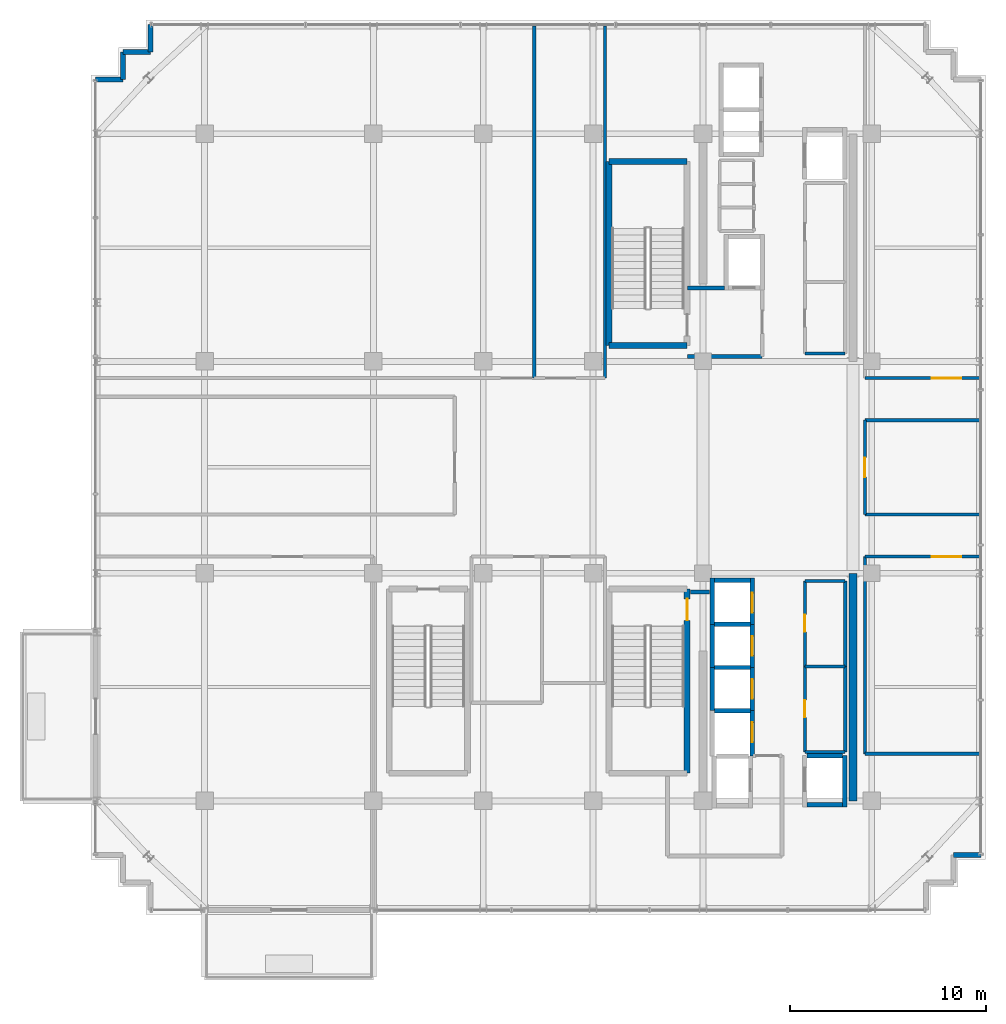
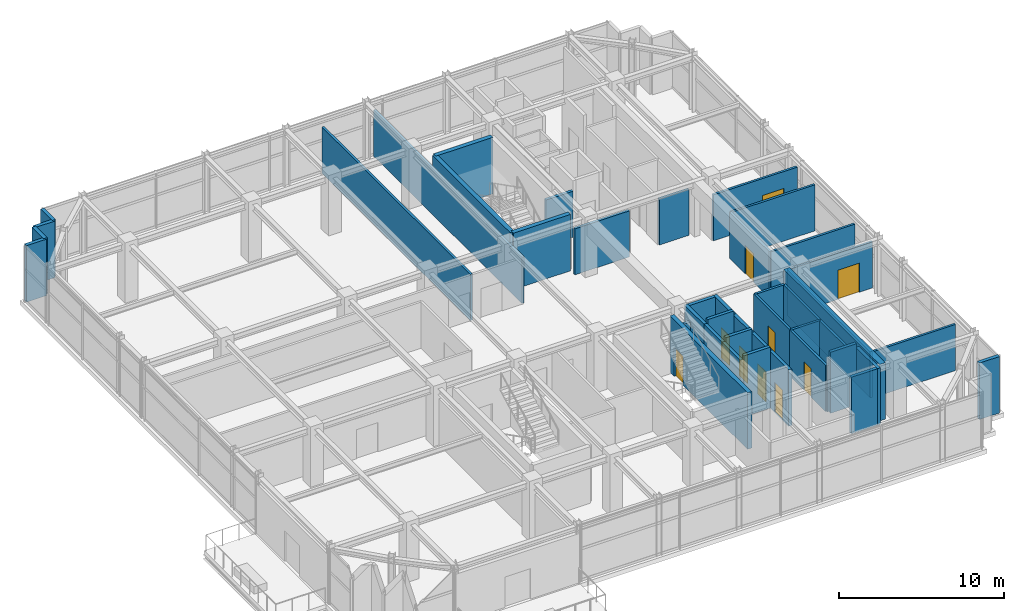
# One storey, part 20 of 25: 44 walls, 10 doors, 10 openings.
"""IFC4 building model written with IfcOpenShell, lengths in metres."""

from ifc_helpers import new_model, si_unit, direction, frame, frame_2d, origin, place, context, subcontext, project, spatial, rectangle, extrude, source, transform, mapped, material, layer, layer_set, type_object, element, fill, save


model = new_model("IFC4")

# Units and contexts
model_context = context("Model", 3, precision=1e-05, world=origin(), true_north=direction((0.0, 1.0)))
body_context = subcontext(model_context, "Body", "Model", "MODEL_VIEW")
ifc_project = project(units=[si_unit("LENGTHUNIT", "METRE"), si_unit("AREAUNIT", "SQUARE_METRE"), si_unit("VOLUMEUNIT", "CUBIC_METRE"), si_unit("PLANEANGLEUNIT", "RADIAN"), si_unit("MASSUNIT", "GRAM", prefix="KILO")], contexts=[model_context])

# Site, building, storey
site_placement = place(None, origin())
site = spatial("IfcSite", under=ifc_project, at=site_placement, CompositionType="ELEMENT")
building_placement = place(site_placement, origin())
building = spatial("IfcBuilding", under=site, at=building_placement, Name="Nahalor Promenade Grand Hotel", CompositionType="ELEMENT")
storey_placement = place(building_placement, frame((0.0, 0.0, 338.550048828125)))
storey = spatial("IfcBuildingStorey", under=building, at=storey_placement, Name="L87", CompositionType="ELEMENT", Elevation=338.550048828125)

# Walls
ifc_material_1 = material(Name="Concrete B-50 (C40/50)", Category="concrete")
ifc_layer_1 = layer(ifc_material_1, 0.39990234375)
ifc_layer_set_1 = layer_set([ifc_layer_1], Name="Concrete B-50 (C40/50)")
wall_type_1 = type_object("IfcWallType", Name="Wall-CoreShear-400", PredefinedType="SHEAR", material=ifc_layer_set_1)
shared_shape_1 = source(origin(), body_context, "Body", "SweptSolid", [
    extrude(rectangle(XDim=11.60009765625, YDim=0.39990234375, at=frame_2d((5.800048828125, 0.0))), origin(), (0.0, 0.0, 1.0), 4.169921875),
])
wall_1_placement = place(storey_placement, frame((16.050048828125, -17.0, 0.0), z_axis=(0.0, 0.0, 1.0), x_axis=(0.0, 1.0, 0.0)))
element("IfcWall", 1, at=wall_1_placement, inside=storey, type_object=wall_type_1, Name="CWALL-L87-SE", PredefinedType="SHEAR", context=body_context, shape_type="MappedRepresentation", body=[
    mapped(shared_shape_1, transform((0.0, 0.0, 0.0), scale=1.0)),
])
ifc_layer_2 = layer(ifc_material_1, 0.300048828125)
ifc_layer_set_2 = layer_set([ifc_layer_2], Name="Concrete B-50 (C40/50)")
wall_type_2 = type_object("IfcWallType", Name="Wall-ShaftShear-300", PredefinedType="SHEAR", material=ifc_layer_set_2)
shared_shape_2 = source(origin(), body_context, "Body", "SweptSolid", [
    extrude(rectangle(XDim=3.97998046875, YDim=0.300048828125, at=frame_2d((1.989990234375, 0.0))), origin(), (0.0, 0.0, 1.0), 4.169921875),
])
for number, where, z_axis, x_axis, name in (
    (2, (3.610107421875, 6.2099609375, 0.0), (0.0, 0.0, 1.0), (1.0, 0.0, 0.0), "L87 Exit Stair ST1 Shaft Wall S"),
    (3, (3.610107421875, 15.590087890625, 0.0), (0.0, 0.0, 1.0), (1.0, 0.0, 0.0), "L87 Exit Stair ST1 Shaft Wall N"),
):
    element("IfcWall", number, at=place(storey_placement, frame(where, z_axis=z_axis, x_axis=x_axis)), inside=storey, type_object=wall_type_2, Name=name, PredefinedType="SHEAR", context=body_context, shape_type="MappedRepresentation", body=[
        mapped(shared_shape_2, transform((0.0, 0.0, 0.0), scale=1.0)),
    ])
shared_shape_3 = source(origin(), body_context, "Body", "SweptSolid", [
    extrude(rectangle(XDim=9.380126953125, YDim=0.300048828125, at=frame_2d((4.68994140625, 0.0))), origin(), (0.0, 0.0, 1.0), 4.169921875),
])
wall_2_placement = place(storey_placement, frame((3.610107421875, 6.2099609375, 0.0), z_axis=(0.0, 0.0, 1.0), x_axis=(0.0, 1.0, 0.0)))
element("IfcWall", 4, at=wall_2_placement, inside=storey, type_object=wall_type_2, Name="L87 Exit Stair ST1 Shaft Wall W", PredefinedType="SHEAR", context=body_context, shape_type="MappedRepresentation", body=[
    mapped(shared_shape_3, transform((0.0, 0.0, 0.0), scale=1.0)),
])

# Wall, opening, door
wall_3_placement = place(storey_placement, frame((7.590087890625, -15.590087890625, 0.0), z_axis=(0.0, 0.0, 1.0), x_axis=(0.0, 1.0, 0.0)))
wall_3 = element("IfcWall", 5, at=wall_3_placement, inside=storey, type_object=wall_type_2, Name="L87 Exit Stair ST2 Shaft Wall E", PredefinedType="SHEAR", context=body_context, shape_type="MappedRepresentation", body=[
    mapped(shared_shape_3, transform((0.0, 0.0, 0.0), scale=1.0)),
])
opening_1_placement = place(wall_3_placement, frame((7.7900390625, 0.0, 0.0)))
opening_1 = element("IfcOpeningElement", 6, at=opening_1_placement, cuts=wall_3, Name="Opening D-ST1", PredefinedType="OPENING", context=body_context, shape_type="SweptSolid", body=[
    extrude(rectangle(XDim=1.10009765625, YDim=2.14990234375, at=frame_2d((0.550048828125, 1.074951171875))), frame((0.0, 0.159912109375, 0.0), z_axis=(0.0, -1.0, 0.0), x_axis=(1.0, 0.0, 0.0)), (0.0, 0.0, 1.0), 0.320068359375),
])
ifc_material_2 = material(Name="Steel S355JR", Category="steel")
door_type_1 = type_object("IfcDoorType", Name="Door-StairFire-1100", OperationType="NOTDEFINED", PredefinedType="DOOR", material=ifc_material_2)
shared_shape_4 = source(origin(), body_context, "Body", "SweptSolid", [
    extrude(rectangle(XDim=1.10009765625, YDim=2.14990234375, at=frame_2d((0.550048828125, 1.074951171875))), frame((0.0, 0.02490234375, 0.0), z_axis=(0.0, -1.0, 0.0), x_axis=(1.0, 0.0, 0.0)), (0.0, 0.0, 1.0), 0.050048828125),
])
door_1_placement = place(opening_1_placement, origin())
door_1 = element("IfcDoor", 7, at=door_1_placement, inside=storey, type_object=door_type_1, Name="DR-STAIR-ST2-L87", OperationType="SINGLE_SWING_RIGHT", OverallHeight=2.14990234375, OverallWidth=1.10009765625, PredefinedType="DOOR", context=body_context, shape_type="MappedRepresentation", body=[
    mapped(shared_shape_4, transform((0.0, 0.0, 0.0), scale=1.0)),
])
fill(opening_1, door_1)

# Walls
ifc_layer_3 = layer(ifc_material_1, 0.219970703125)
ifc_layer_set_3 = layer_set([ifc_layer_3], Name="Concrete B-50 (C40/50)")
wall_type_3 = type_object("IfcWallType", Name="Wall-LiftShaft-220", PredefinedType="SHEAR", material=ifc_layer_set_3)
shared_shape_5 = source(origin(), body_context, "Body", "SweptSolid", [
    extrude(rectangle(XDim=1.820068359375, YDim=0.219970703125, at=frame_2d((0.91015625, 0.0))), origin(), (0.0, 0.0, 1.0), 4.5),
])
for number, where, z_axis, x_axis, name in (
    (8, (8.989990234375, -8.0, 0.0), (0.0, 0.0, 1.0), (1.0, 0.0, 0.0), "L87 Lift PL10 Hoistway Wall N"),
    (9, (8.989990234375, -10.199951171875, 0.0), (0.0, 0.0, 1.0), (1.0, 0.0, 0.0), "L87 Lift PL11 Hoistway Wall N"),
    (10, (8.989990234375, -12.39990234375, 0.0), (0.0, 0.0, 1.0), (1.0, 0.0, 0.0), "L87 Lift PL12 Hoistway Wall N"),
    (11, (13.68994140625, -14.699951171875, 0.0), (0.0, 0.0, 1.0), (1.0, 0.0, 0.0), "L87 Lift SV2 Hoistway Wall N"),
):
    element("IfcWall", number, at=place(storey_placement, frame(where, z_axis=z_axis, x_axis=x_axis)), inside=storey, type_object=wall_type_3, Name=name, PredefinedType="SHEAR", context=body_context, shape_type="MappedRepresentation", body=[
        mapped(shared_shape_5, transform((0.0, 0.0, 0.0), scale=1.0)),
    ])
shared_shape_6 = source(origin(), body_context, "Body", "SweptSolid", [
    extrude(rectangle(XDim=2.360107421875, YDim=0.219970703125, at=frame_2d((1.18017578125, 0.0))), origin(), (0.0, 0.0, 1.0), 4.169921875),
])
wall_4_placement = place(storey_placement, frame((8.8798828125, -8.0, 0.0), z_axis=(0.0, 0.0, 1.0), x_axis=(0.0, 1.0, 0.0)))
element("IfcWall", 12, at=wall_4_placement, inside=storey, type_object=wall_type_3, Name="L87 Lift PL9 Hoistway Wall W", PredefinedType="SHEAR", context=body_context, shape_type="MappedRepresentation", body=[
    mapped(shared_shape_6, transform((0.0, 0.0, 0.0), scale=1.0)),
])

# Wall, opening, door
wall_5_placement = place(storey_placement, frame((10.919921875, -8.0, 0.0), z_axis=(0.0, 0.0, 1.0), x_axis=(0.0, 1.0, 0.0)))
wall_5 = element("IfcWall", 13, at=wall_5_placement, inside=storey, type_object=wall_type_3, Name="L87 Lift PL9 Hoistway Wall E", PredefinedType="SHEAR", context=body_context, shape_type="MappedRepresentation", body=[
    mapped(shared_shape_6, transform((0.0, 0.0, 0.0), scale=1.0)),
])
opening_2_placement = place(wall_5_placement, frame((0.60009765625, 0.0, 0.0)))
opening_2 = element("IfcOpeningElement", 14, at=opening_2_placement, cuts=wall_5, Name="Opening LD-01", PredefinedType="OPENING", context=body_context, shape_type="SweptSolid", body=[
    extrude(rectangle(XDim=1.0, YDim=2.199951171875, at=frame_2d((0.5, 1.10009765625))), frame((0.0, 0.119873046875, 0.0), z_axis=(0.0, -1.0, 0.0), x_axis=(1.0, 0.0, 0.0)), (0.0, 0.0, 1.0), 0.239990234375),
])
door_type_2 = type_object("IfcDoorType", Name="Door-LiftLanding-1000", OperationType="DOUBLE_DOOR_SLIDING", PredefinedType="DOOR", material=ifc_material_2)
shared_shape_7 = source(origin(), body_context, "Body", "SweptSolid", [
    extrude(rectangle(XDim=1.0, YDim=2.199951171875, at=frame_2d((0.5, 1.10009765625))), frame((0.0, 0.02490234375, 0.0), z_axis=(0.0, -1.0, 0.0), x_axis=(1.0, 0.0, 0.0)), (0.0, 0.0, 1.0), 0.050048828125),
])
door_2_placement = place(opening_2_placement, frame((1.0, 0.0, 0.0), z_axis=(0.0, 0.0, 1.0), x_axis=(-1.0, 0.0, 0.0)))
door_2 = element("IfcDoor", 15, at=door_2_placement, inside=storey, type_object=door_type_2, Name="DR-LIFT-PL9-L87", OperationType="DOUBLE_DOOR_SLIDING", OverallHeight=2.199951171875, OverallWidth=1.0, PredefinedType="DOOR", context=body_context, shape_type="MappedRepresentation", body=[
    mapped(shared_shape_7, transform((0.0, 0.0, 0.0), scale=1.0)),
])
fill(opening_2, door_2)

# Walls
shared_shape_8 = source(origin(), body_context, "Body", "SweptSolid", [
    extrude(rectangle(XDim=1.820068359375, YDim=0.219970703125, at=frame_2d((0.91015625, 0.0))), origin(), (0.0, 0.0, 1.0), 4.169921875),
])
for number, where, z_axis, x_axis, name in (
    (16, (8.989990234375, -5.75, 0.0), (0.0, 0.0, 1.0), (1.0, 0.0, 0.0), "L87 Lift PL9 Hoistway Wall N"),
    (17, (13.68994140625, -17.199951171875, 0.0), (0.0, 0.0, 1.0), (1.0, 0.0, 0.0), "L87 Lift SV2 Hoistway Wall S"),
):
    element("IfcWall", number, at=place(storey_placement, frame(where, z_axis=z_axis, x_axis=x_axis)), inside=storey, type_object=wall_type_3, Name=name, PredefinedType="SHEAR", context=body_context, shape_type="MappedRepresentation", body=[
        mapped(shared_shape_8, transform((0.0, 0.0, 0.0), scale=1.0)),
    ])
shared_shape_9 = source(origin(), body_context, "Body", "SweptSolid", [
    extrude(rectangle(XDim=2.199951171875, YDim=0.219970703125, at=frame_2d((1.10009765625, 0.0))), origin(), (0.0, 0.0, 1.0), 4.169921875),
])
wall_6_placement = place(storey_placement, frame((8.8798828125, -10.199951171875, 0.0), z_axis=(0.0, 0.0, 1.0), x_axis=(0.0, 1.0, 0.0)))
element("IfcWall", 18, at=wall_6_placement, inside=storey, type_object=wall_type_3, Name="L87 Lift PL10 Hoistway Wall W", PredefinedType="SHEAR", context=body_context, shape_type="MappedRepresentation", body=[
    mapped(shared_shape_9, transform((0.0, 0.0, 0.0), scale=1.0)),
])

# Wall, opening, door
wall_7_placement = place(storey_placement, frame((10.919921875, -10.199951171875, 0.0), z_axis=(0.0, 0.0, 1.0), x_axis=(0.0, 1.0, 0.0)))
wall_7 = element("IfcWall", 19, at=wall_7_placement, inside=storey, type_object=wall_type_3, Name="L87 Lift PL10 Hoistway Wall E", PredefinedType="SHEAR", context=body_context, shape_type="MappedRepresentation", body=[
    mapped(shared_shape_9, transform((0.0, 0.0, 0.0), scale=1.0)),
])
opening_3_placement = place(wall_7_placement, frame((0.60009765625, 0.0, 0.0)))
opening_3 = element("IfcOpeningElement", 20, at=opening_3_placement, cuts=wall_7, Name="Opening LD-01", PredefinedType="OPENING", context=body_context, shape_type="SweptSolid", body=[
    extrude(rectangle(XDim=1.0, YDim=2.199951171875, at=frame_2d((0.5, 1.10009765625))), frame((0.0, 0.119873046875, 0.0), z_axis=(0.0, -1.0, 0.0), x_axis=(1.0, 0.0, 0.0)), (0.0, 0.0, 1.0), 0.239990234375),
])
door_3_placement = place(opening_3_placement, frame((1.0, 0.0, 0.0), z_axis=(0.0, 0.0, 1.0), x_axis=(-1.0, 0.0, 0.0)))
door_3 = element("IfcDoor", 21, at=door_3_placement, inside=storey, type_object=door_type_2, Name="DR-LIFT-PL10-L87", OperationType="DOUBLE_DOOR_SLIDING", OverallHeight=2.199951171875, OverallWidth=1.0, PredefinedType="DOOR", context=body_context, shape_type="MappedRepresentation", body=[
    mapped(shared_shape_7, transform((0.0, 0.0, 0.0), scale=1.0)),
])
fill(opening_3, door_3)

# Wall
wall_8_placement = place(storey_placement, frame((8.8798828125, -12.39990234375, 0.0), z_axis=(0.0, 0.0, 1.0), x_axis=(0.0, 1.0, 0.0)))
element("IfcWall", 22, at=wall_8_placement, inside=storey, type_object=wall_type_3, Name="L87 Lift PL11 Hoistway Wall W", PredefinedType="SHEAR", context=body_context, shape_type="MappedRepresentation", body=[
    mapped(shared_shape_9, transform((0.0, 0.0, 0.0), scale=1.0)),
])

# Wall, opening, door
wall_9_placement = place(storey_placement, frame((10.919921875, -12.39990234375, 0.0), z_axis=(0.0, 0.0, 1.0), x_axis=(0.0, 1.0, 0.0)))
wall_9 = element("IfcWall", 23, at=wall_9_placement, inside=storey, type_object=wall_type_3, Name="L87 Lift PL11 Hoistway Wall E", PredefinedType="SHEAR", context=body_context, shape_type="MappedRepresentation", body=[
    mapped(shared_shape_9, transform((0.0, 0.0, 0.0), scale=1.0)),
])
opening_4_placement = place(wall_9_placement, frame((0.60009765625, 0.0, 0.0)))
opening_4 = element("IfcOpeningElement", 24, at=opening_4_placement, cuts=wall_9, Name="Opening LD-01", PredefinedType="OPENING", context=body_context, shape_type="SweptSolid", body=[
    extrude(rectangle(XDim=1.0, YDim=2.199951171875, at=frame_2d((0.5, 1.10009765625))), frame((0.0, 0.119873046875, 0.0), z_axis=(0.0, -1.0, 0.0), x_axis=(1.0, 0.0, 0.0)), (0.0, 0.0, 1.0), 0.239990234375),
])
door_4_placement = place(opening_4_placement, frame((1.0, 0.0, 0.0), z_axis=(0.0, 0.0, 1.0), x_axis=(-1.0, 0.0, 0.0)))
door_4 = element("IfcDoor", 25, at=door_4_placement, inside=storey, type_object=door_type_2, Name="DR-LIFT-PL11-L87", OperationType="DOUBLE_DOOR_SLIDING", OverallHeight=2.199951171875, OverallWidth=1.0, PredefinedType="DOOR", context=body_context, shape_type="MappedRepresentation", body=[
    mapped(shared_shape_7, transform((0.0, 0.0, 0.0), scale=1.0)),
])
fill(opening_4, door_4)

shared_shape_10 = source(origin(), body_context, "Body", "SweptSolid", [
    extrude(rectangle(XDim=2.3251953125, YDim=0.219970703125, at=frame_2d((1.16259765625, 0.0))), origin(), (0.0, 0.0, 1.0), 4.169921875),
])
wall_10_placement = place(storey_placement, frame((10.919921875, -14.72509765625, 0.0), z_axis=(0.0, 0.0, 1.0), x_axis=(0.0, 1.0, 0.0)))
wall_10 = element("IfcWall", 26, at=wall_10_placement, inside=storey, type_object=wall_type_3, Name="L87 Lift PL12 Hoistway Wall E", PredefinedType="SHEAR", context=body_context, shape_type="MappedRepresentation", body=[
    mapped(shared_shape_10, transform((0.0, 0.0, 0.0), scale=1.0)),
])
opening_5_placement = place(wall_10_placement, frame((0.72509765625, 0.0, 0.0)))
opening_5 = element("IfcOpeningElement", 27, at=opening_5_placement, cuts=wall_10, Name="Opening LD-01", PredefinedType="OPENING", context=body_context, shape_type="SweptSolid", body=[
    extrude(rectangle(XDim=1.0, YDim=2.199951171875, at=frame_2d((0.5, 1.10009765625))), frame((0.0, 0.119873046875, 0.0), z_axis=(0.0, -1.0, 0.0), x_axis=(1.0, 0.0, 0.0)), (0.0, 0.0, 1.0), 0.239990234375),
])
door_5_placement = place(opening_5_placement, frame((1.0, 0.0, 0.0), z_axis=(0.0, 0.0, 1.0), x_axis=(-1.0, 0.0, 0.0)))
door_5 = element("IfcDoor", 28, at=door_5_placement, inside=storey, type_object=door_type_2, Name="DR-LIFT-PL12-L87", OperationType="DOUBLE_DOOR_SLIDING", OverallHeight=2.199951171875, OverallWidth=1.0, PredefinedType="DOOR", context=body_context, shape_type="MappedRepresentation", body=[
    mapped(shared_shape_7, transform((0.0, 0.0, 0.0), scale=1.0)),
])
fill(opening_5, door_5)

# Walls
shared_shape_11 = source(origin(), body_context, "Body", "SweptSolid", [
    extrude(rectangle(XDim=2.610107421875, YDim=0.219970703125, at=frame_2d((1.30517578125, 0.0))), origin(), (0.0, 0.0, 1.0), 4.169921875),
])
wall_11_placement = place(storey_placement, frame((15.6201171875, -17.31005859375, 0.0), z_axis=(0.0, 0.0, 1.0), x_axis=(0.0, 1.0, 0.0)))
element("IfcWall", 29, at=wall_11_placement, inside=storey, type_object=wall_type_3, Name="L87 Lift SV2 Hoistway Wall E", PredefinedType="SHEAR", context=body_context, shape_type="MappedRepresentation", body=[
    mapped(shared_shape_11, transform((0.0, 0.0, 0.0), scale=1.0)),
])
ifc_material_3 = material(Name="Concrete B-40 (C32/40)", Category="concrete")
ifc_layer_4 = layer(ifc_material_3, 0.25)
ifc_layer_set_4 = layer_set([ifc_layer_4], Name="Concrete B-40 (C32/40)")
wall_type_4 = type_object("IfcWallType", Name="Wall-BronzePier-250", PredefinedType="STANDARD", material=ifc_layer_set_4)
shared_shape_12 = source(origin(), body_context, "Body", "SweptSolid", [
    extrude(rectangle(XDim=1.400146484375, YDim=0.25, at=frame_2d((0.7001953125, 0.0))), origin(), (0.0, 0.0, 1.0), 4.169921875),
])
for number, where, z_axis, x_axis, name in (
    (30, (21.159912109375, -19.760009765625, 0.0), (0.0, 0.0, 1.0), (1.0, 0.0, 0.0), "W-L87-SR-04"),
    (31, (-19.760009765625, 21.159912109375, 0.0), (0.0, 0.0, 1.0), (0.0, 1.0, 0.0), "W-L87-SR-09"),
    (32, (-22.56005859375, 19.760009765625, 0.0), (0.0, 0.0, 1.0), (1.0, 0.0, 0.0), "W-L87-SR-12"),
):
    element("IfcWall", number, at=place(storey_placement, frame(where, z_axis=z_axis, x_axis=x_axis)), inside=storey, type_object=wall_type_4, Name=name, PredefinedType="STANDARD", context=body_context, shape_type="MappedRepresentation", body=[
        mapped(shared_shape_12, transform((0.0, 0.0, 0.0), scale=1.0)),
    ])
shared_shape_13 = source(origin(), body_context, "Body", "SweptSolid", [
    extrude(rectangle(XDim=1.39990234375, YDim=0.25, at=frame_2d((0.699951171875, 0.0))), origin(), (0.0, 0.0, 1.0), 4.169921875),
])
for number, where, z_axis, x_axis, name in (
    (33, (-21.159912109375, 21.159912109375, 0.0), (0.0, 0.0, 1.0), (1.0, 0.0, 0.0), "W-L87-SR-10"),
    (34, (-21.159912109375, 19.760009765625, 0.0), (0.0, 0.0, 1.0), (0.0, 1.0, 0.0), "W-L87-SR-11"),
):
    element("IfcWall", number, at=place(storey_placement, frame(where, z_axis=z_axis, x_axis=x_axis)), inside=storey, type_object=wall_type_4, Name=name, PredefinedType="STANDARD", context=body_context, shape_type="MappedRepresentation", body=[
        mapped(shared_shape_13, transform((0.0, 0.0, 0.0), scale=1.0)),
    ])
ifc_layer_5 = layer(ifc_material_3, 0.199951171875)
ifc_layer_set_5 = layer_set([ifc_layer_5], Name="Concrete B-40 (C32/40)")
wall_type_5 = type_object("IfcWallType", Name="Wall-PartFire-200", PredefinedType="PARTITIONING", material=ifc_layer_set_5)
shared_shape_14 = source(origin(), body_context, "Body", "SweptSolid", [
    extrude(rectangle(XDim=3.81982421875, YDim=0.199951171875, at=frame_2d((1.909912109375, 0.0))), origin(), (0.0, 0.0, 1.0), 3.39990234375),
])
wall_12_placement = place(storey_placement, frame((7.60009765625, 5.64990234375, 0.0), z_axis=(0.0, 0.0, 1.0), x_axis=(1.0, 0.0, 0.0)))
element("IfcWall", 35, at=wall_12_placement, inside=storey, type_object=wall_type_5, Name="W-L87-FF1-S", PredefinedType="PARTITIONING", context=body_context, shape_type="MappedRepresentation", body=[
    mapped(shared_shape_14, transform((0.0, 0.0, 0.0), scale=1.0)),
])
shared_shape_15 = source(origin(), body_context, "Body", "SweptSolid", [
    extrude(rectangle(XDim=1.89990234375, YDim=0.199951171875, at=frame_2d((0.949951171875, 0.0))), origin(), (0.0, 0.0, 1.0), 3.39990234375),
])
wall_13_placement = place(storey_placement, frame((7.60009765625, 9.14990234375, 0.0), z_axis=(0.0, 0.0, 1.0), x_axis=(1.0, 0.0, 0.0)))
element("IfcWall", 36, at=wall_13_placement, inside=storey, type_object=wall_type_5, Name="W-L87-FF1-N", PredefinedType="PARTITIONING", context=body_context, shape_type="MappedRepresentation", body=[
    mapped(shared_shape_15, transform((0.0, 0.0, 0.0), scale=1.0)),
])
shared_shape_16 = source(origin(), body_context, "Body", "SweptSolid", [
    extrude(rectangle(XDim=0.969970703125, YDim=0.199951171875, at=frame_2d((0.48486328125, 0.0))), origin(), (0.0, 0.0, 1.0), 3.39990234375),
])
wall_14_placement = place(storey_placement, frame((7.77001953125, -6.35009765625, 0.0), z_axis=(0.0, 0.0, 1.0), x_axis=(1.0, 0.0, 0.0)))
element("IfcWall", 37, at=wall_14_placement, inside=storey, type_object=wall_type_5, Name="W-L87-FF2-N2", PredefinedType="PARTITIONING", context=body_context, shape_type="MappedRepresentation", body=[
    mapped(shared_shape_16, transform((0.0, 0.0, 0.0), scale=1.0)),
])

# Wall, opening, door
ifc_material_4 = material(Name="Acoustic Mineral Gypsum", Category="gypsum")
ifc_layer_6 = layer(ifc_material_4, 0.159912109375)
ifc_layer_set_6 = layer_set([ifc_layer_6], Name="Acoustic Mineral Gypsum")
wall_type_6 = type_object("IfcWallType", Name="Wall-PartCorridor-160", PredefinedType="PARTITIONING", material=ifc_layer_set_6)
shared_shape_17 = source(origin(), body_context, "Body", "SweptSolid", [
    extrude(rectangle(XDim=4.7998046875, YDim=0.159912109375, at=frame_2d((2.39990234375, 0.0))), origin(), (0.0, 0.0, 1.0), 3.39990234375),
])
wall_15_placement = place(storey_placement, frame((16.64990234375, -2.39990234375, 0.0), z_axis=(0.0, 0.0, 1.0), x_axis=(0.0, 1.0, 0.0)))
wall_15 = element("IfcWall", 38, at=wall_15_placement, inside=storey, type_object=wall_type_6, Name="W-L87-SK02-W", PredefinedType="PARTITIONING", context=body_context, shape_type="MappedRepresentation", body=[
    mapped(shared_shape_17, transform((0.0, 0.0, 0.0), scale=1.0)),
])
opening_6_placement = place(wall_15_placement, frame((1.89990234375, 0.0, 0.0)))
opening_6 = element("IfcOpeningElement", 39, at=opening_6_placement, cuts=wall_15, Name="Opening D-04", PredefinedType="OPENING", context=body_context, shape_type="SweptSolid", body=[
    extrude(rectangle(XDim=1.0, YDim=2.10009765625, at=frame_2d((0.5, 1.050048828125))), frame((0.0, 0.08984375, 0.0), z_axis=(0.0, -1.0, 0.0), x_axis=(1.0, 0.0, 0.0)), (0.0, 0.0, 1.0), 0.179931640625),
])
door_type_3 = type_object("IfcDoorType", Name="Door-ServiceFire-1000", OperationType="NOTDEFINED", PredefinedType="DOOR", material=ifc_material_2)
shared_shape_18 = source(origin(), body_context, "Body", "SweptSolid", [
    extrude(rectangle(XDim=1.0, YDim=2.10009765625, at=frame_2d((0.5, 1.050048828125))), frame((0.0, 0.02490234375, 0.0), z_axis=(0.0, -1.0, 0.0), x_axis=(1.0, 0.0, 0.0)), (0.0, 0.0, 1.0), 0.050048828125),
])
door_6_placement = place(opening_6_placement, frame((1.0, 0.0, 0.0), z_axis=(0.0, 0.0, 1.0), x_axis=(-1.0, 0.0, 0.0)))
door_6 = element("IfcDoor", 40, at=door_6_placement, inside=storey, type_object=door_type_3, Name="DR-L87-SK02", OperationType="SINGLE_SWING_RIGHT", OverallHeight=2.10009765625, OverallWidth=1.0, PredefinedType="DOOR", context=body_context, shape_type="MappedRepresentation", body=[
    mapped(shared_shape_18, transform((0.0, 0.0, 0.0), scale=1.0)),
])
fill(opening_6, door_6)

# Walls
shared_shape_19 = source(origin(), body_context, "Body", "SweptSolid", [
    extrude(rectangle(XDim=2.0498046875, YDim=0.159912109375, at=frame_2d((1.02490234375, 0.0))), origin(), (0.0, 0.0, 1.0), 3.39990234375),
])
for number, where, z_axis, x_axis, name in (
    (41, (13.60009765625, 5.800048828125, 0.0), (0.0, 0.0, 1.0), (1.0, 0.0, 0.0), "W-L87-FRB1A-S"),
    (42, (13.60009765625, -14.5, 0.0), (0.0, 0.0, 1.0), (1.0, 0.0, 0.0), "W-L87-FRB2A-S"),
    (43, (13.60009765625, -10.14990234375, 0.0), (0.0, 0.0, 1.0), (1.0, 0.0, 0.0), "W-L87-FRB2A-N"),
    (44, (13.60009765625, -5.800048828125, 0.0), (0.0, 0.0, 1.0), (1.0, 0.0, 0.0), "W-L87-FRB2B-N"),
):
    element("IfcWall", number, at=place(storey_placement, frame(where, z_axis=z_axis, x_axis=x_axis)), inside=storey, type_object=wall_type_6, Name=name, PredefinedType="PARTITIONING", context=body_context, shape_type="MappedRepresentation", body=[
        mapped(shared_shape_19, transform((0.0, 0.0, 0.0), scale=1.0)),
    ])

# Wall, opening, door
shared_shape_20 = source(origin(), body_context, "Body", "SweptSolid", [
    extrude(rectangle(XDim=4.35009765625, YDim=0.159912109375, at=frame_2d((2.175048828125, 0.0))), origin(), (0.0, 0.0, 1.0), 3.39990234375),
])
wall_16_placement = place(storey_placement, frame((13.60009765625, -14.5, 0.0), z_axis=(0.0, 0.0, 1.0), x_axis=(0.0, 1.0, 0.0)))
wall_16 = element("IfcWall", 45, at=wall_16_placement, inside=storey, type_object=wall_type_6, Name="W-L87-FRB2A-W", PredefinedType="PARTITIONING", context=body_context, shape_type="MappedRepresentation", body=[
    mapped(shared_shape_20, transform((0.0, 0.0, 0.0), scale=1.0)),
])
opening_7_placement = place(wall_16_placement, frame((1.760009765625, 0.0, 0.0)))
opening_7 = element("IfcOpeningElement", 46, at=opening_7_placement, cuts=wall_16, Name="Opening D-03", PredefinedType="OPENING", context=body_context, shape_type="SweptSolid", body=[
    extrude(rectangle(XDim=0.8798828125, YDim=2.10009765625, at=frame_2d((0.43994140625, 1.050048828125))), frame((0.0, 0.08984375, 0.0), z_axis=(0.0, -1.0, 0.0), x_axis=(1.0, 0.0, 0.0)), (0.0, 0.0, 1.0), 0.179931640625),
])
ifc_material_5 = material(Name="Fire-Rated Timber Composite", Category="wood")
door_type_4 = type_object("IfcDoorType", Name="Door-BathSwing-880", OperationType="NOTDEFINED", PredefinedType="DOOR", material=ifc_material_5)
shared_shape_21 = source(origin(), body_context, "Body", "SweptSolid", [
    extrude(rectangle(XDim=0.8798828125, YDim=2.10009765625, at=frame_2d((0.43994140625, 1.050048828125))), frame((0.0, 0.02490234375, 0.0), z_axis=(0.0, -1.0, 0.0), x_axis=(1.0, 0.0, 0.0)), (0.0, 0.0, 1.0), 0.050048828125),
])
door_7_placement = place(opening_7_placement, frame((0.8798828125, 0.0, 0.0), z_axis=(0.0, 0.0, 1.0), x_axis=(-1.0, 0.0, 0.0)))
door_7 = element("IfcDoor", 47, at=door_7_placement, inside=storey, type_object=door_type_4, Name="DR-L87-FRB2A", OperationType="SINGLE_SWING_RIGHT", OverallHeight=2.10009765625, OverallWidth=0.8798828125, PredefinedType="DOOR", context=body_context, shape_type="MappedRepresentation", body=[
    mapped(shared_shape_21, transform((0.0, 0.0, 0.0), scale=1.0)),
])
fill(opening_7, door_7)

# Wall
wall_17_placement = place(storey_placement, frame((15.64990234375, -14.5, 0.0), z_axis=(0.0, 0.0, 1.0), x_axis=(0.0, 1.0, 0.0)))
element("IfcWall", 48, at=wall_17_placement, inside=storey, type_object=wall_type_6, Name="W-L87-FRB2A-E", PredefinedType="PARTITIONING", context=body_context, shape_type="MappedRepresentation", body=[
    mapped(shared_shape_20, transform((0.0, 0.0, 0.0), scale=1.0)),
])

# Wall, opening, door
shared_shape_22 = source(origin(), body_context, "Body", "SweptSolid", [
    extrude(rectangle(XDim=4.349853515625, YDim=0.159912109375, at=frame_2d((2.1748046875, 0.0))), origin(), (0.0, 0.0, 1.0), 3.39990234375),
])
wall_18_placement = place(storey_placement, frame((13.60009765625, -10.14990234375, 0.0), z_axis=(0.0, 0.0, 1.0), x_axis=(0.0, 1.0, 0.0)))
wall_18 = element("IfcWall", 49, at=wall_18_placement, inside=storey, type_object=wall_type_6, Name="W-L87-FRB2B-W", PredefinedType="PARTITIONING", context=body_context, shape_type="MappedRepresentation", body=[
    mapped(shared_shape_22, transform((0.0, 0.0, 0.0), scale=1.0)),
])
opening_8_placement = place(wall_18_placement, frame((1.760009765625, 0.0, 0.0)))
opening_8 = element("IfcOpeningElement", 50, at=opening_8_placement, cuts=wall_18, Name="Opening D-03", PredefinedType="OPENING", context=body_context, shape_type="SweptSolid", body=[
    extrude(rectangle(XDim=0.8798828125, YDim=2.10009765625, at=frame_2d((0.43994140625, 1.050048828125))), frame((0.0, 0.08984375, 0.0), z_axis=(0.0, -1.0, 0.0), x_axis=(1.0, 0.0, 0.0)), (0.0, 0.0, 1.0), 0.179931640625),
])
door_8_placement = place(opening_8_placement, frame((0.8798828125, 0.0, 0.0), z_axis=(0.0, 0.0, 1.0), x_axis=(-1.0, 0.0, 0.0)))
door_8 = element("IfcDoor", 51, at=door_8_placement, inside=storey, type_object=door_type_4, Name="DR-L87-FRB2B", OperationType="SINGLE_SWING_LEFT", OverallHeight=2.10009765625, OverallWidth=0.8798828125, PredefinedType="DOOR", context=body_context, shape_type="MappedRepresentation", body=[
    mapped(shared_shape_21, transform((0.0, 0.0, 0.0), scale=1.0)),
])
fill(opening_8, door_8)

# Walls
wall_19_placement = place(storey_placement, frame((15.64990234375, -10.14990234375, 0.0), z_axis=(0.0, 0.0, 1.0), x_axis=(0.0, 1.0, 0.0)))
element("IfcWall", 52, at=wall_19_placement, inside=storey, type_object=wall_type_6, Name="W-L87-FRB2B-E", PredefinedType="PARTITIONING", context=body_context, shape_type="MappedRepresentation", body=[
    mapped(shared_shape_22, transform((0.0, 0.0, 0.0), scale=1.0)),
])
shared_shape_23 = source(origin(), body_context, "Body", "SweptSolid", [
    extrude(rectangle(XDim=5.85009765625, YDim=0.159912109375, at=frame_2d((2.925048828125, 0.0))), origin(), (0.0, 0.0, 1.0), 3.39990234375),
])
for number, where, z_axis, x_axis, name in (
    (53, (16.64990234375, -2.39990234375, 0.0), (0.0, 0.0, 1.0), (1.0, 0.0, 0.0), "W-L87-SK02-S"),
    (54, (16.64990234375, 2.39990234375, 0.0), (0.0, 0.0, 1.0), (1.0, 0.0, 0.0), "W-L87-SK02-N"),
):
    element("IfcWall", number, at=place(storey_placement, frame(where, z_axis=z_axis, x_axis=x_axis)), inside=storey, type_object=wall_type_6, Name=name, PredefinedType="PARTITIONING", context=body_context, shape_type="MappedRepresentation", body=[
        mapped(shared_shape_23, transform((0.0, 0.0, 0.0), scale=1.0)),
    ])

# Wall, opening, door
wall_20_placement = place(storey_placement, frame((16.64990234375, 4.550048828125, 0.0), z_axis=(0.0, 0.0, 1.0), x_axis=(1.0, 0.0, 0.0)))
wall_20 = element("IfcWall", 55, at=wall_20_placement, inside=storey, type_object=wall_type_6, Name="W-L87-SK06-S", PredefinedType="PARTITIONING", context=body_context, shape_type="MappedRepresentation", body=[
    mapped(shared_shape_23, transform((0.0, 0.0, 0.0), scale=1.0)),
])
opening_9_placement = place(wall_20_placement, frame((3.419921875, 0.0, 0.0)))
opening_9 = element("IfcOpeningElement", 56, at=opening_9_placement, cuts=wall_20, Name="Opening D-02", PredefinedType="OPENING", context=body_context, shape_type="SweptSolid", body=[
    extrude(rectangle(XDim=1.5, YDim=2.14990234375, at=frame_2d((0.75, 1.074951171875))), frame((0.0, 0.08984375, 0.0), z_axis=(0.0, -1.0, 0.0), x_axis=(1.0, 0.0, 0.0)), (0.0, 0.0, 1.0), 0.179931640625),
])
door_type_5 = type_object("IfcDoorType", Name="Door-SuiteDouble-1500", OperationType="DOUBLE_DOOR_SINGLE_SWING", PredefinedType="DOOR", material=ifc_material_5)
shared_shape_24 = source(origin(), body_context, "Body", "SweptSolid", [
    extrude(rectangle(XDim=1.5, YDim=2.14990234375, at=frame_2d((0.75, 1.074951171875))), frame((0.0, 0.02490234375, 0.0), z_axis=(0.0, -1.0, 0.0), x_axis=(1.0, 0.0, 0.0)), (0.0, 0.0, 1.0), 0.050048828125),
])
door_9_placement = place(opening_9_placement, origin())
door_9 = element("IfcDoor", 57, at=door_9_placement, inside=storey, type_object=door_type_5, Name="DR-L87-SK06", OperationType="DOUBLE_DOOR_SINGLE_SWING", OverallHeight=2.14990234375, OverallWidth=1.5, PredefinedType="DOOR", context=body_context, shape_type="MappedRepresentation", body=[
    mapped(shared_shape_24, transform((0.0, 0.0, 0.0), scale=1.0)),
])
fill(opening_9, door_9)

# Wall
wall_21_placement = place(storey_placement, frame((16.64990234375, -14.60009765625, 0.0), z_axis=(0.0, 0.0, 1.0), x_axis=(1.0, 0.0, 0.0)))
element("IfcWall", 58, at=wall_21_placement, inside=storey, type_object=wall_type_6, Name="W-L87-SK07-S", PredefinedType="PARTITIONING", context=body_context, shape_type="MappedRepresentation", body=[
    mapped(shared_shape_23, transform((0.0, 0.0, 0.0), scale=1.0)),
])

# Wall, opening, door
wall_22_placement = place(storey_placement, frame((16.64990234375, -4.550048828125, 0.0), z_axis=(0.0, 0.0, 1.0), x_axis=(1.0, 0.0, 0.0)))
wall_22 = element("IfcWall", 59, at=wall_22_placement, inside=storey, type_object=wall_type_6, Name="W-L87-SK07-N", PredefinedType="PARTITIONING", context=body_context, shape_type="MappedRepresentation", body=[
    mapped(shared_shape_23, transform((0.0, 0.0, 0.0), scale=1.0)),
])
opening_10_placement = place(wall_22_placement, frame((3.419921875, 0.0, 0.0)))
opening_10 = element("IfcOpeningElement", 60, at=opening_10_placement, cuts=wall_22, Name="Opening D-02", PredefinedType="OPENING", context=body_context, shape_type="SweptSolid", body=[
    extrude(rectangle(XDim=1.5, YDim=2.14990234375, at=frame_2d((0.75, 1.074951171875))), frame((0.0, 0.08984375, 0.0), z_axis=(0.0, -1.0, 0.0), x_axis=(1.0, 0.0, 0.0)), (0.0, 0.0, 1.0), 0.179931640625),
])
door_10_placement = place(opening_10_placement, frame((1.5, 0.0, 0.0), z_axis=(0.0, 0.0, 1.0), x_axis=(-1.0, 0.0, 0.0)))
door_10 = element("IfcDoor", 61, at=door_10_placement, inside=storey, type_object=door_type_5, Name="DR-L87-SK07", OperationType="DOUBLE_DOOR_SINGLE_SWING", OverallHeight=2.14990234375, OverallWidth=1.5, PredefinedType="DOOR", context=body_context, shape_type="MappedRepresentation", body=[
    mapped(shared_shape_24, transform((0.0, 0.0, 0.0), scale=1.0)),
])
fill(opening_10, door_10)

# Walls
shared_shape_25 = source(origin(), body_context, "Body", "SweptSolid", [
    extrude(rectangle(XDim=17.949951171875, YDim=0.159912109375, at=frame_2d((8.97509765625, 0.0))), origin(), (0.0, 0.0, 1.0), 3.39990234375),
])
for number, where, z_axis, x_axis, name in (
    (62, (-0.199951171875, 4.550048828125, 0.0), (0.0, 0.0, 1.0), (0.0, 1.0, 0.0), "W-L87-SK03-E"),
    (63, (3.39990234375, 4.550048828125, 0.0), (0.0, 0.0, 1.0), (0.0, 1.0, 0.0), "W-L87-SK04-E"),
):
    element("IfcWall", number, at=place(storey_placement, frame(where, z_axis=z_axis, x_axis=x_axis)), inside=storey, type_object=wall_type_6, Name=name, PredefinedType="PARTITIONING", context=body_context, shape_type="MappedRepresentation", body=[
        mapped(shared_shape_25, transform((0.0, 0.0, 0.0), scale=1.0)),
    ])
shared_shape_26 = source(origin(), body_context, "Body", "SweptSolid", [
    extrude(rectangle(XDim=10.050048828125, YDim=0.159912109375, at=frame_2d((5.02490234375, 0.0))), origin(), (0.0, 0.0, 1.0), 3.39990234375),
])
wall_23_placement = place(storey_placement, frame((16.64990234375, -14.60009765625, 0.0), z_axis=(0.0, 0.0, 1.0), x_axis=(0.0, 1.0, 0.0)))
element("IfcWall", 64, at=wall_23_placement, inside=storey, type_object=wall_type_6, Name="W-L87-SK07-W", PredefinedType="PARTITIONING", context=body_context, shape_type="MappedRepresentation", body=[
    mapped(shared_shape_26, transform((0.0, 0.0, 0.0), scale=1.0)),
])

save(model, "model.ifc")
